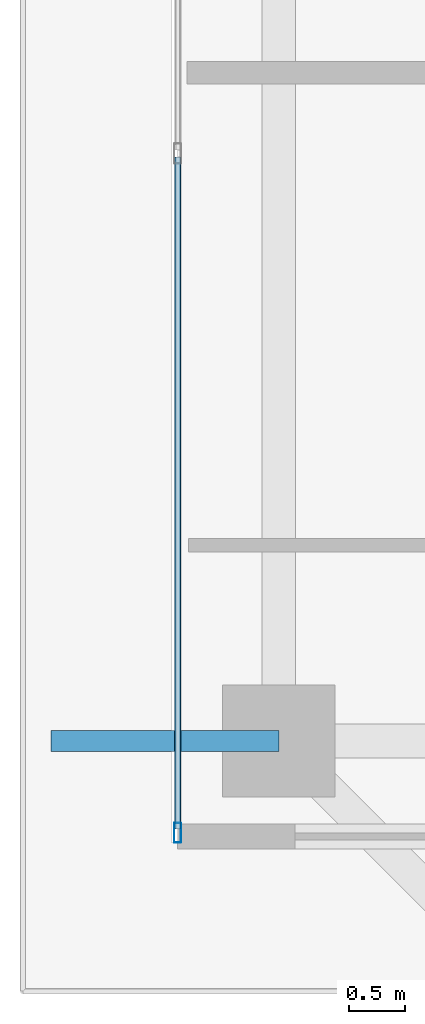
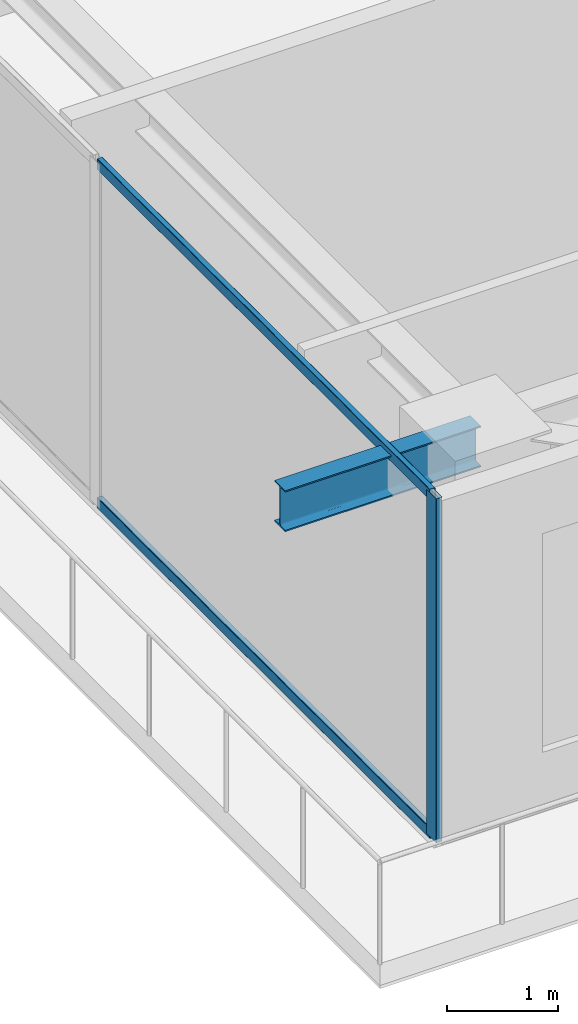
# One storey, part 4 of 42: 3 members, 1 beam, 1 element without a shape of its own.
"""IFC4 building model written with IfcOpenShell, lengths in metres."""

from ifc_helpers import new_model, si_unit, direction, frame, origin, origin_2d, place, context, subcontext, project, spatial, hollow_rectangle, i_section, extrude, source, transform, mapped, material, layer, layer_set, material_profile, profile_set, type_object, element, aggregate, save


model = new_model("IFC4")

# Units and contexts
model_context = context("Model", 3, precision=1e-05, world=origin(), true_north=direction((0.0, 1.0)))
body_context = subcontext(model_context, "Body", "Model", "MODEL_VIEW")
ifc_project = project(units=[si_unit("LENGTHUNIT", "METRE"), si_unit("AREAUNIT", "SQUARE_METRE"), si_unit("VOLUMEUNIT", "CUBIC_METRE"), si_unit("PLANEANGLEUNIT", "RADIAN"), si_unit("MASSUNIT", "GRAM", prefix="KILO")], contexts=[model_context])

# Site, building, storey
site_placement = place(None, origin())
site = spatial("IfcSite", under=ifc_project, at=site_placement, CompositionType="ELEMENT")
building_placement = place(site_placement, origin())
building = spatial("IfcBuilding", under=site, at=building_placement, Name="Serunith Strait Residences", CompositionType="ELEMENT")
storey_placement = place(building_placement, frame((0.0, 0.0, 309.64990234375)))
storey = spatial("IfcBuildingStorey", under=building, at=storey_placement, Name="L77", CompositionType="ELEMENT", Elevation=309.64990234375)

# Beam
ifc_material_1 = material(Name="Steel S355J2", Category="steel")
ifc_material_profile_1 = material_profile(ifc_material_1, i_section(OverallWidth=0.18994140625, OverallDepth=0.449951171875, WebThickness=0.009521484375, FlangeThickness=0.0146484375, FilletRadius=0.02099609375, at=origin_2d()), Name="IPE 450")
ifc_profile_set_1 = profile_set([ifc_material_profile_1], Name="Steel S355J2")
beam_type = type_object("IfcBeamType", Name="BM-IPE450", PredefinedType="JOIST", material=ifc_profile_set_1)
shared_shape_1 = source(origin(), body_context, "Body", "SweptSolid", [
    extrude(i_section(OverallWidth=0.18994140625, OverallDepth=0.449951171875, WebThickness=0.009521484375, FlangeThickness=0.0146484375, FilletRadius=0.02099609375, at=origin_2d()), origin(), (0.0, 0.0, 1.0), 2.030029296875),
])
beam_placement = place(storey_placement, frame((10.10009765625, 10.85009765625, 3.531982421875), z_axis=(-1.0, 0.0, 0.0), x_axis=(0.0, -1.0, 0.0)))
element("IfcBeam", 1, at=beam_placement, inside=storey, type_object=beam_type, Name="L78 Cantilevered Balcony Rib TC-W1", PredefinedType="JOIST", context=body_context, shape_type="MappedRepresentation", body=[
    mapped(shared_shape_1, transform((0.0, 0.0, 0.0), scale=1.0)),
])

# Curtain wall, members
ifc_material_2 = material(Name="Brushed Stainless-Silver Aluminium", Category="aluminium")
ifc_layer = layer(ifc_material_2, 0.199951171875, Name="Brushed Stainless-Silver Aluminium")
ifc_layer_set = layer_set([ifc_layer], Name="Brushed Stainless-Silver Aluminium")
curtain_wall_type = type_object("IfcCurtainWallType", Name="CW-SYS5", PredefinedType="NOTDEFINED", material=ifc_layer_set)
curtain_wall_placement = place(storey_placement, origin())
curtain_wall = element("IfcCurtainWall", 2, at=curtain_wall_placement, inside=storey, type_object=curtain_wall_type, Name="L77 W Unitised Fritted Curtain Wall", PredefinedType="NOTDEFINED")
ifc_material_profile_2 = material_profile(ifc_material_2, hollow_rectangle(XDim=0.06494140625, YDim=0.179931640625, WallThickness=0.00341796875, InnerFilletRadius=0.00537109375, OuterFilletRadius=0.0087890625, at=origin_2d()), Name="ALU 180x65x3.5")
ifc_profile_set_2 = profile_set([ifc_material_profile_2], Name="Brushed Stainless-Silver Aluminium")
member_type_1 = type_object("IfcMemberType", Name="CW-SYS5-MULL", PredefinedType="MULLION", material=ifc_profile_set_2)
shared_shape_2 = source(origin(), body_context, "Body", "SweptSolid", [
    extrude(hollow_rectangle(XDim=0.06494140625, YDim=0.179931640625, WallThickness=0.00341796875, InnerFilletRadius=0.00537109375, OuterFilletRadius=0.0087890625, at=origin_2d()), origin(), (0.0, 0.0, 1.0), 3.775146484375),
])
member_1_placement = place(storey_placement, frame((9.199951171875, 10.032470703125, 0.0), z_axis=(0.0, 0.0, 1.0), x_axis=(1.0, 0.0, 0.0)))
member_1 = element("IfcMember", 3, at=member_1_placement, type_object=member_type_1, Name="CW-5 mullion 6", PredefinedType="MULLION", context=body_context, shape_type="MappedRepresentation", body=[
    mapped(shared_shape_2, transform((0.0, 0.0, 0.0), scale=1.0)),
])
ifc_material_profile_3 = material_profile(ifc_material_2, hollow_rectangle(XDim=0.06005859375, YDim=0.1201171875, WallThickness=0.00341796875, InnerFilletRadius=0.00537109375, OuterFilletRadius=0.0087890625, at=origin_2d()), Name="ALU 120x60x3.5")
ifc_profile_set_3 = profile_set([ifc_material_profile_3], Name="Brushed Stainless-Silver Aluminium")
member_type_2 = type_object("IfcMemberType", Name="CW-SYS5-TRAN", PredefinedType="USERDEFINED", material=ifc_profile_set_3)
shared_shape_3 = source(origin(), body_context, "Body", "SweptSolid", [
    extrude(hollow_rectangle(XDim=0.06005859375, YDim=0.1201171875, WallThickness=0.00341796875, InnerFilletRadius=0.00537109375, OuterFilletRadius=0.0087890625, at=origin_2d()), origin(), (0.0, 0.0, 1.0), 5.982666015625),
])
member_2_placement = place(storey_placement, frame((9.199951171875, 16.047607421875, 0.030029296875), z_axis=(0.0, -1.0, 0.0), x_axis=(1.0, 0.0, 0.0)))
member_2 = element("IfcMember", 4, at=member_2_placement, type_object=member_type_2, Name="CW-5 transom 5.1", ObjectType="TRANSOM", PredefinedType="USERDEFINED", context=body_context, shape_type="MappedRepresentation", body=[
    mapped(shared_shape_3, transform((0.0, 0.0, 0.0), scale=1.0)),
])
member_3_placement = place(storey_placement, frame((9.199951171875, 16.047607421875, 3.7451171875), z_axis=(0.0, -1.0, 0.0), x_axis=(1.0, 0.0, 0.0)))
member_3 = element("IfcMember", 5, at=member_3_placement, type_object=member_type_2, Name="CW-5 transom 5.2", ObjectType="TRANSOM", PredefinedType="USERDEFINED", context=body_context, shape_type="MappedRepresentation", body=[
    mapped(shared_shape_3, transform((0.0, 0.0, 0.0), scale=1.0)),
])
aggregate(curtain_wall, [member_1, member_2, member_3])

save(model, "model.ifc")
